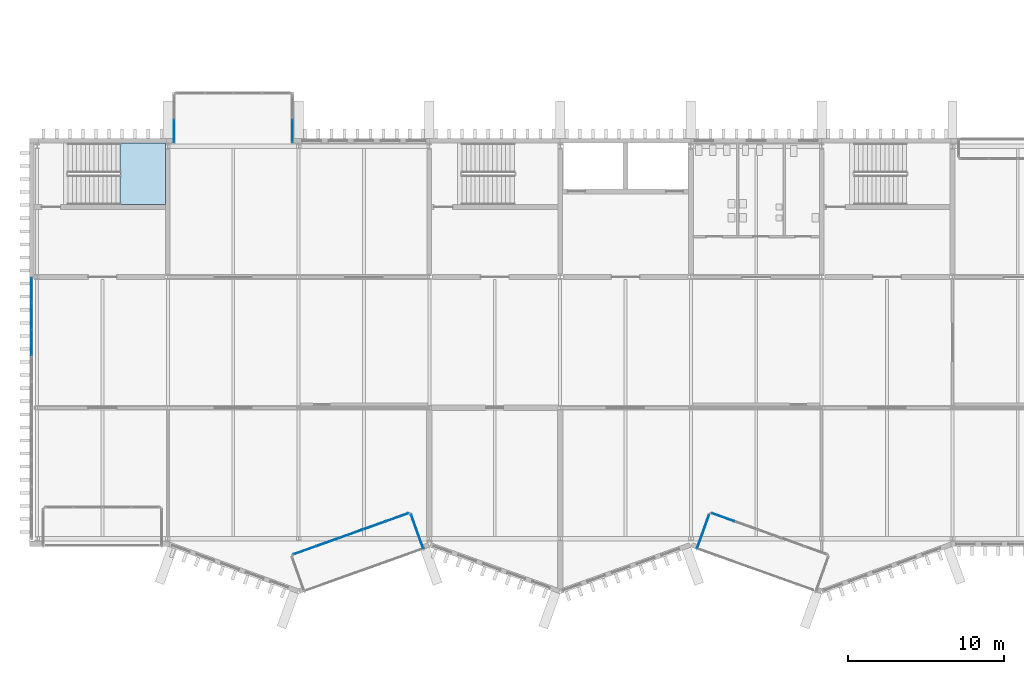
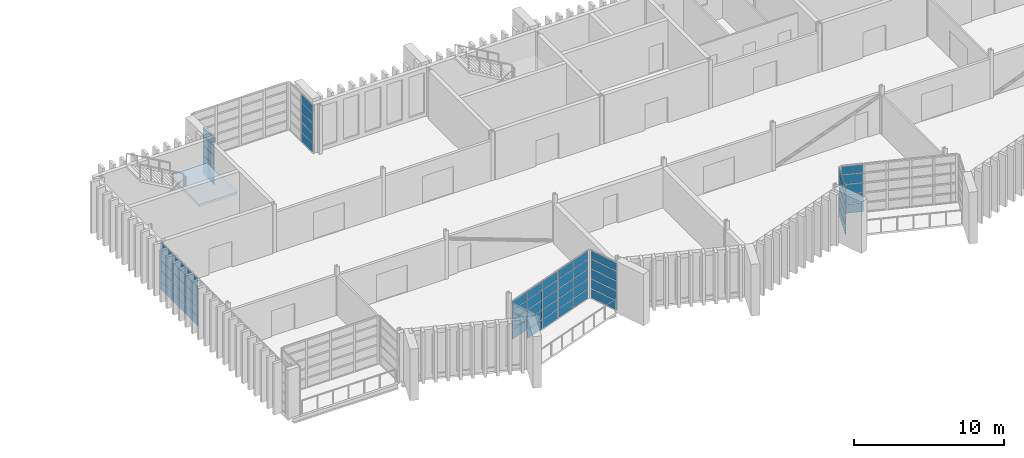
# One storey, part 42 of 88: 64 plates, 1 slab, 8 elements without a shape of their own.
"""IFC4 building model written with IfcOpenShell, lengths in metres."""

from ifc_helpers import new_model, si_unit, direction, frame, origin, origin_2d, place, context, subcontext, project, spatial, polyline, rectangle, outline, extrude, material, layer, layer_set, type_object, element, aggregate, save


model = new_model("IFC4")

# Units and contexts
model_context = context("Model", 3, precision=1e-05, world=origin(), true_north=direction((0.0, 1.0)))
body_context = subcontext(model_context, "Body", "Model", "MODEL_VIEW")
ifc_project = project(units=[si_unit("LENGTHUNIT", "METRE"), si_unit("AREAUNIT", "SQUARE_METRE"), si_unit("VOLUMEUNIT", "CUBIC_METRE"), si_unit("PLANEANGLEUNIT", "RADIAN"), si_unit("MASSUNIT", "GRAM", prefix="KILO")], contexts=[model_context])

# Site, building, storey
site_placement = place(None, origin())
site = spatial("IfcSite", under=ifc_project, at=site_placement, CompositionType="ELEMENT")
building_placement = place(site_placement, origin())
building = spatial("IfcBuilding", under=site, at=building_placement, Name="Cresset Court Congress Hotel", CompositionType="ELEMENT")
storey_placement = place(building_placement, frame((0.0, 0.0, 14.39990234375)))
storey = spatial("IfcBuildingStorey", under=building, at=storey_placement, Name="L03", CompositionType="ELEMENT", Elevation=14.39990234375)

# Curtain wall, plates
ifc_material_1 = material(Name="Aluminium frame with double glazing", Category="aluminium")
ifc_layer_1 = layer(ifc_material_1, 0.199951171875)
ifc_layer_set_1 = layer_set([ifc_layer_1], Name="Glazed box curtain wall 1680 module")
curtain_wall_type = type_object("IfcCurtainWallType", Name="Glazed box curtain wall 1680 module", PredefinedType="NOTDEFINED", material=ifc_layer_set_1)
curtain_wall_1_placement = place(storey_placement, origin())
curtain_wall_1 = element("IfcCurtainWall", 1, at=curtain_wall_1_placement, inside=storey, type_object=curtain_wall_type, Name="Glazed box S0305 front", PredefinedType="NOTDEFINED")
ifc_material_2 = material(Name="Toughened double glazing", Category="glass")
ifc_layer_2 = layer(ifc_material_2, 0.028076171875)
ifc_layer_set_2 = layer_set([ifc_layer_2], Name="Box glass panel 28")
plate_type_1 = type_object("IfcPlateType", Name="Box glass panel 28", PredefinedType="CURTAIN_PANEL", material=ifc_layer_set_2)
plate_1_placement = place(storey_placement, frame((25.590087890625, -0.756103515625, 0.8349609375), z_axis=(0.0, 0.0, 1.0), x_axis=(0.941741911601, 0.336336396981, 0.0)))
plate_1 = element("IfcPlate", 2, at=plate_1_placement, type_object=plate_type_1, Name="B-X1 panel 1.2", PredefinedType="CURTAIN_PANEL", context=body_context, shape_type="SweptSolid", body=[
    extrude(rectangle(XDim=1.493896484375, YDim=0.028076171875, at=origin_2d()), origin(), (0.0, 0.0, 1.0), 0.7451171875),
])
plate_2_placement = place(storey_placement, frame((25.590087890625, -0.756103515625, 1.64013671875), z_axis=(0.0, 0.0, 1.0), x_axis=(0.941741911601, 0.336336396981, 0.0)))
plate_2 = element("IfcPlate", 3, at=plate_2_placement, type_object=plate_type_1, Name="B-X1 panel 1.3", PredefinedType="CURTAIN_PANEL", context=body_context, shape_type="SweptSolid", body=[
    extrude(rectangle(XDim=1.493896484375, YDim=0.028076171875, at=origin_2d()), origin(), (0.0, 0.0, 1.0), 0.7451171875),
])
plate_3_placement = place(storey_placement, frame((25.590087890625, -0.756103515625, 2.445068359375), z_axis=(0.0, 0.0, 1.0), x_axis=(0.941741911601, 0.336336396981, 0.0)))
plate_3 = element("IfcPlate", 4, at=plate_3_placement, type_object=plate_type_1, Name="B-X1 panel 1.4", PredefinedType="CURTAIN_PANEL", context=body_context, shape_type="SweptSolid", body=[
    extrude(rectangle(XDim=1.493896484375, YDim=0.028076171875, at=origin_2d()), origin(), (0.0, 0.0, 1.0), 0.7451171875),
])
plate_4_placement = place(storey_placement, frame((27.067626953125, -0.228271484375, 0.06005859375), z_axis=(0.0, 0.0, 1.0), x_axis=(0.941741911601, 0.336336396981, 0.0)))
plate_4 = element("IfcPlate", 5, at=plate_4_placement, type_object=plate_type_1, Name="B-X1 panel 2.1", PredefinedType="CURTAIN_PANEL", context=body_context, shape_type="SweptSolid", body=[
    extrude(rectangle(XDim=1.52392578125, YDim=0.028076171875, at=origin_2d()), origin(), (0.0, 0.0, 1.0), 0.715087890625),
])
plate_5_placement = place(storey_placement, frame((27.067626953125, -0.228271484375, 0.8349609375), z_axis=(0.0, 0.0, 1.0), x_axis=(0.941741911601, 0.336336396981, 0.0)))
plate_5 = element("IfcPlate", 6, at=plate_5_placement, type_object=plate_type_1, Name="B-X1 panel 2.2", PredefinedType="CURTAIN_PANEL", context=body_context, shape_type="SweptSolid", body=[
    extrude(rectangle(XDim=1.52392578125, YDim=0.028076171875, at=origin_2d()), origin(), (0.0, 0.0, 1.0), 0.7451171875),
])
plate_6_placement = place(storey_placement, frame((27.067626953125, -0.228271484375, 1.64013671875), z_axis=(0.0, 0.0, 1.0), x_axis=(0.941741911601, 0.336336396981, 0.0)))
plate_6 = element("IfcPlate", 7, at=plate_6_placement, type_object=plate_type_1, Name="B-X1 panel 2.3", PredefinedType="CURTAIN_PANEL", context=body_context, shape_type="SweptSolid", body=[
    extrude(rectangle(XDim=1.52392578125, YDim=0.028076171875, at=origin_2d()), origin(), (0.0, 0.0, 1.0), 0.7451171875),
])
plate_7_placement = place(storey_placement, frame((27.067626953125, -0.228271484375, 2.445068359375), z_axis=(0.0, 0.0, 1.0), x_axis=(0.941741911601, 0.336336396981, 0.0)))
plate_7 = element("IfcPlate", 8, at=plate_7_placement, type_object=plate_type_1, Name="B-X1 panel 2.4", PredefinedType="CURTAIN_PANEL", context=body_context, shape_type="SweptSolid", body=[
    extrude(rectangle(XDim=1.52392578125, YDim=0.028076171875, at=origin_2d()), origin(), (0.0, 0.0, 1.0), 0.7451171875),
])
plate_8_placement = place(storey_placement, frame((28.55908203125, 0.304443359375, 0.06005859375), z_axis=(0.0, 0.0, 1.0), x_axis=(0.941741911601, 0.336336396981, 0.0)))
plate_8 = element("IfcPlate", 9, at=plate_8_placement, type_object=plate_type_1, Name="B-X1 panel 3.1", PredefinedType="CURTAIN_PANEL", context=body_context, shape_type="SweptSolid", body=[
    extrude(rectangle(XDim=1.52392578125, YDim=0.028076171875, at=origin_2d()), origin(), (0.0, 0.0, 1.0), 0.715087890625),
])
plate_9_placement = place(storey_placement, frame((28.55908203125, 0.304443359375, 0.8349609375), z_axis=(0.0, 0.0, 1.0), x_axis=(0.941741911601, 0.336336396981, 0.0)))
plate_9 = element("IfcPlate", 10, at=plate_9_placement, type_object=plate_type_1, Name="B-X1 panel 3.2", PredefinedType="CURTAIN_PANEL", context=body_context, shape_type="SweptSolid", body=[
    extrude(rectangle(XDim=1.52392578125, YDim=0.028076171875, at=origin_2d()), origin(), (0.0, 0.0, 1.0), 0.7451171875),
])
plate_10_placement = place(storey_placement, frame((28.55908203125, 0.304443359375, 1.64013671875), z_axis=(0.0, 0.0, 1.0), x_axis=(0.941741911601, 0.336336396981, 0.0)))
plate_10 = element("IfcPlate", 11, at=plate_10_placement, type_object=plate_type_1, Name="B-X1 panel 3.3", PredefinedType="CURTAIN_PANEL", context=body_context, shape_type="SweptSolid", body=[
    extrude(rectangle(XDim=1.52392578125, YDim=0.028076171875, at=origin_2d()), origin(), (0.0, 0.0, 1.0), 0.7451171875),
])
plate_11_placement = place(storey_placement, frame((28.55908203125, 0.304443359375, 2.445068359375), z_axis=(0.0, 0.0, 1.0), x_axis=(0.941741911601, 0.336336396981, 0.0)))
plate_11 = element("IfcPlate", 12, at=plate_11_placement, type_object=plate_type_1, Name="B-X1 panel 3.4", PredefinedType="CURTAIN_PANEL", context=body_context, shape_type="SweptSolid", body=[
    extrude(rectangle(XDim=1.52392578125, YDim=0.028076171875, at=origin_2d()), origin(), (0.0, 0.0, 1.0), 0.7451171875),
])
plate_12_placement = place(storey_placement, frame((30.05078125, 0.837158203125, 0.06005859375), z_axis=(0.0, 0.0, 1.0), x_axis=(0.941741911601, 0.336336396981, 0.0)))
plate_12 = element("IfcPlate", 13, at=plate_12_placement, type_object=plate_type_1, Name="B-X1 panel 4.1", PredefinedType="CURTAIN_PANEL", context=body_context, shape_type="SweptSolid", body=[
    extrude(rectangle(XDim=1.52392578125, YDim=0.028076171875, at=origin_2d()), origin(), (0.0, 0.0, 1.0), 0.715087890625),
])
plate_13_placement = place(storey_placement, frame((30.05078125, 0.837158203125, 0.8349609375), z_axis=(0.0, 0.0, 1.0), x_axis=(0.941741911601, 0.336336396981, 0.0)))
plate_13 = element("IfcPlate", 14, at=plate_13_placement, type_object=plate_type_1, Name="B-X1 panel 4.2", PredefinedType="CURTAIN_PANEL", context=body_context, shape_type="SweptSolid", body=[
    extrude(rectangle(XDim=1.52392578125, YDim=0.028076171875, at=origin_2d()), origin(), (0.0, 0.0, 1.0), 0.7451171875),
])
plate_14_placement = place(storey_placement, frame((30.05078125, 0.837158203125, 1.64013671875), z_axis=(0.0, 0.0, 1.0), x_axis=(0.941741911601, 0.336336396981, 0.0)))
plate_14 = element("IfcPlate", 15, at=plate_14_placement, type_object=plate_type_1, Name="B-X1 panel 4.3", PredefinedType="CURTAIN_PANEL", context=body_context, shape_type="SweptSolid", body=[
    extrude(rectangle(XDim=1.52392578125, YDim=0.028076171875, at=origin_2d()), origin(), (0.0, 0.0, 1.0), 0.7451171875),
])
plate_15_placement = place(storey_placement, frame((30.05078125, 0.837158203125, 2.445068359375), z_axis=(0.0, 0.0, 1.0), x_axis=(0.941741911601, 0.336336396981, 0.0)))
plate_15 = element("IfcPlate", 16, at=plate_15_placement, type_object=plate_type_1, Name="B-X1 panel 4.4", PredefinedType="CURTAIN_PANEL", context=body_context, shape_type="SweptSolid", body=[
    extrude(rectangle(XDim=1.52392578125, YDim=0.028076171875, at=origin_2d()), origin(), (0.0, 0.0, 1.0), 0.7451171875),
])
plate_16_placement = place(storey_placement, frame((31.5283203125, 1.36474609375, 0.06005859375), z_axis=(0.0, 0.0, 1.0), x_axis=(0.941741911601, 0.336336396981, 0.0)))
plate_16 = element("IfcPlate", 17, at=plate_16_placement, type_object=plate_type_1, Name="B-X1 panel 5.1", PredefinedType="CURTAIN_PANEL", context=body_context, shape_type="SweptSolid", body=[
    extrude(rectangle(XDim=1.493896484375, YDim=0.028076171875, at=origin_2d()), origin(), (0.0, 0.0, 1.0), 0.715087890625),
])
plate_17_placement = place(storey_placement, frame((31.5283203125, 1.36474609375, 0.8349609375), z_axis=(0.0, 0.0, 1.0), x_axis=(0.941741911601, 0.336336396981, 0.0)))
plate_17 = element("IfcPlate", 18, at=plate_17_placement, type_object=plate_type_1, Name="B-X1 panel 5.2", PredefinedType="CURTAIN_PANEL", context=body_context, shape_type="SweptSolid", body=[
    extrude(rectangle(XDim=1.493896484375, YDim=0.028076171875, at=origin_2d()), origin(), (0.0, 0.0, 1.0), 0.7451171875),
])
plate_18_placement = place(storey_placement, frame((31.5283203125, 1.36474609375, 1.64013671875), z_axis=(0.0, 0.0, 1.0), x_axis=(0.941741911601, 0.336336396981, 0.0)))
plate_18 = element("IfcPlate", 19, at=plate_18_placement, type_object=plate_type_1, Name="B-X1 panel 5.3", PredefinedType="CURTAIN_PANEL", context=body_context, shape_type="SweptSolid", body=[
    extrude(rectangle(XDim=1.493896484375, YDim=0.028076171875, at=origin_2d()), origin(), (0.0, 0.0, 1.0), 0.7451171875),
])
plate_19_placement = place(storey_placement, frame((31.5283203125, 1.36474609375, 2.445068359375), z_axis=(0.0, 0.0, 1.0), x_axis=(0.941741911601, 0.336336396981, 0.0)))
plate_19 = element("IfcPlate", 20, at=plate_19_placement, type_object=plate_type_1, Name="B-X1 panel 5.4", PredefinedType="CURTAIN_PANEL", context=body_context, shape_type="SweptSolid", body=[
    extrude(rectangle(XDim=1.493896484375, YDim=0.028076171875, at=origin_2d()), origin(), (0.0, 0.0, 1.0), 0.7451171875),
])

curtain_wall_2_placement = place(storey_placement, origin())
curtain_wall_2 = element("IfcCurtainWall", 21, at=curtain_wall_2_placement, inside=storey, type_object=curtain_wall_type, Name="Glazed box S0305 side", PredefinedType="NOTDEFINED")
plate_20_placement = place(storey_placement, frame((32.819580078125, 0.445556640625, 0.06005859375), z_axis=(0.0, 0.0, 1.0), x_axis=(-0.336336396685, 0.941741911707, 0.0)))
plate_20 = element("IfcPlate", 22, at=plate_20_placement, type_object=plate_type_1, Name="B-X1 panel 1.1", PredefinedType="CURTAIN_PANEL", context=body_context, shape_type="SweptSolid", body=[
    extrude(rectangle(XDim=2.280029296875, YDim=0.028076171875, at=origin_2d()), origin(), (0.0, 0.0, 1.0), 0.715087890625),
])
plate_21_placement = place(storey_placement, frame((32.819580078125, 0.445556640625, 0.8349609375), z_axis=(0.0, 0.0, 1.0), x_axis=(-0.336336396685, 0.941741911707, 0.0)))
plate_21 = element("IfcPlate", 23, at=plate_21_placement, type_object=plate_type_1, Name="B-X1 panel 1.2", PredefinedType="CURTAIN_PANEL", context=body_context, shape_type="SweptSolid", body=[
    extrude(rectangle(XDim=2.280029296875, YDim=0.028076171875, at=origin_2d()), origin(), (0.0, 0.0, 1.0), 0.7451171875),
])
plate_22_placement = place(storey_placement, frame((32.819580078125, 0.445556640625, 1.64013671875), z_axis=(0.0, 0.0, 1.0), x_axis=(-0.336336396685, 0.941741911707, 0.0)))
plate_22 = element("IfcPlate", 24, at=plate_22_placement, type_object=plate_type_1, Name="B-X1 panel 1.3", PredefinedType="CURTAIN_PANEL", context=body_context, shape_type="SweptSolid", body=[
    extrude(rectangle(XDim=2.280029296875, YDim=0.028076171875, at=origin_2d()), origin(), (0.0, 0.0, 1.0), 0.7451171875),
])
plate_23_placement = place(storey_placement, frame((32.819580078125, 0.445556640625, 2.445068359375), z_axis=(0.0, 0.0, 1.0), x_axis=(-0.336336396685, 0.941741911707, 0.0)))
plate_23 = element("IfcPlate", 25, at=plate_23_placement, type_object=plate_type_1, Name="B-X1 panel 1.4", PredefinedType="CURTAIN_PANEL", context=body_context, shape_type="SweptSolid", body=[
    extrude(rectangle(XDim=2.280029296875, YDim=0.028076171875, at=origin_2d()), origin(), (0.0, 0.0, 1.0), 0.7451171875),
])

curtain_wall_3_placement = place(storey_placement, origin())
curtain_wall_3 = element("IfcCurtainWall", 26, at=curtain_wall_3_placement, inside=storey, type_object=curtain_wall_type, Name="Glazed box S0308 front", PredefinedType="NOTDEFINED")
plate_24_placement = place(storey_placement, frame((52.4716796875, 1.36474609375, 0.06005859375), z_axis=(0.0, 0.0, 1.0), x_axis=(0.941741911601, -0.336336396981, 0.0)))
plate_24 = element("IfcPlate", 27, at=plate_24_placement, type_object=plate_type_1, Name="B-X1 panel 1.1", PredefinedType="CURTAIN_PANEL", context=body_context, shape_type="SweptSolid", body=[
    extrude(rectangle(XDim=1.493896484375, YDim=0.028076171875, at=origin_2d()), origin(), (0.0, 0.0, 1.0), 0.715087890625),
])
plate_25_placement = place(storey_placement, frame((52.4716796875, 1.36474609375, 0.8349609375), z_axis=(0.0, 0.0, 1.0), x_axis=(0.941741911601, -0.336336396981, 0.0)))
plate_25 = element("IfcPlate", 28, at=plate_25_placement, type_object=plate_type_1, Name="B-X1 panel 1.2", PredefinedType="CURTAIN_PANEL", context=body_context, shape_type="SweptSolid", body=[
    extrude(rectangle(XDim=1.493896484375, YDim=0.028076171875, at=origin_2d()), origin(), (0.0, 0.0, 1.0), 0.7451171875),
])
plate_26_placement = place(storey_placement, frame((52.4716796875, 1.36474609375, 1.64013671875), z_axis=(0.0, 0.0, 1.0), x_axis=(0.941741911601, -0.336336396981, 0.0)))
plate_26 = element("IfcPlate", 29, at=plate_26_placement, type_object=plate_type_1, Name="B-X1 panel 1.3", PredefinedType="CURTAIN_PANEL", context=body_context, shape_type="SweptSolid", body=[
    extrude(rectangle(XDim=1.493896484375, YDim=0.028076171875, at=origin_2d()), origin(), (0.0, 0.0, 1.0), 0.7451171875),
])
plate_27_placement = place(storey_placement, frame((52.4716796875, 1.36474609375, 2.445068359375), z_axis=(0.0, 0.0, 1.0), x_axis=(0.941741911601, -0.336336396981, 0.0)))
plate_27 = element("IfcPlate", 30, at=plate_27_placement, type_object=plate_type_1, Name="B-X1 panel 1.4", PredefinedType="CURTAIN_PANEL", context=body_context, shape_type="SweptSolid", body=[
    extrude(rectangle(XDim=1.493896484375, YDim=0.028076171875, at=origin_2d()), origin(), (0.0, 0.0, 1.0), 0.7451171875),
])

curtain_wall_4_placement = place(storey_placement, origin())
curtain_wall_4 = element("IfcCurtainWall", 31, at=curtain_wall_4_placement, inside=storey, type_object=curtain_wall_type, Name="Glazed box S0308 side", PredefinedType="NOTDEFINED")
plate_28_placement = place(storey_placement, frame((51.180419921875, 0.445556640625, 0.06005859375), z_axis=(0.0, 0.0, 1.0), x_axis=(0.336336396685, 0.941741911707, 0.0)))
plate_28 = element("IfcPlate", 32, at=plate_28_placement, type_object=plate_type_1, Name="B-X1 panel 1.1", PredefinedType="CURTAIN_PANEL", context=body_context, shape_type="SweptSolid", body=[
    extrude(rectangle(XDim=2.280029296875, YDim=0.028076171875, at=origin_2d()), origin(), (0.0, 0.0, 1.0), 0.715087890625),
])
plate_29_placement = place(storey_placement, frame((51.180419921875, 0.445556640625, 0.8349609375), z_axis=(0.0, 0.0, 1.0), x_axis=(0.336336396685, 0.941741911707, 0.0)))
plate_29 = element("IfcPlate", 33, at=plate_29_placement, type_object=plate_type_1, Name="B-X1 panel 1.2", PredefinedType="CURTAIN_PANEL", context=body_context, shape_type="SweptSolid", body=[
    extrude(rectangle(XDim=2.280029296875, YDim=0.028076171875, at=origin_2d()), origin(), (0.0, 0.0, 1.0), 0.7451171875),
])
plate_30_placement = place(storey_placement, frame((51.180419921875, 0.445556640625, 1.64013671875), z_axis=(0.0, 0.0, 1.0), x_axis=(0.336336396685, 0.941741911707, 0.0)))
plate_30 = element("IfcPlate", 34, at=plate_30_placement, type_object=plate_type_1, Name="B-X1 panel 1.3", PredefinedType="CURTAIN_PANEL", context=body_context, shape_type="SweptSolid", body=[
    extrude(rectangle(XDim=2.280029296875, YDim=0.028076171875, at=origin_2d()), origin(), (0.0, 0.0, 1.0), 0.7451171875),
])
plate_31_placement = place(storey_placement, frame((51.180419921875, 0.445556640625, 2.445068359375), z_axis=(0.0, 0.0, 1.0), x_axis=(0.336336396685, 0.941741911707, 0.0)))
plate_31 = element("IfcPlate", 35, at=plate_31_placement, type_object=plate_type_1, Name="B-X1 panel 1.4", PredefinedType="CURTAIN_PANEL", context=body_context, shape_type="SweptSolid", body=[
    extrude(rectangle(XDim=2.280029296875, YDim=0.028076171875, at=origin_2d()), origin(), (0.0, 0.0, 1.0), 0.7451171875),
])

curtain_wall_5_placement = place(storey_placement, origin())
curtain_wall_5 = element("IfcCurtainWall", 36, at=curtain_wall_5_placement, inside=storey, type_object=curtain_wall_type, Name="Glazed box N0325 side", PredefinedType="NOTDEFINED")
plate_32_placement = place(storey_placement, frame((17.199951171875, 26.18994140625, 0.06005859375), z_axis=(0.0, 0.0, 1.0), x_axis=(0.0, 1.0, 0.0)))
plate_32 = element("IfcPlate", 37, at=plate_32_placement, type_object=plate_type_1, Name="B-X1 panel 1.1", PredefinedType="CURTAIN_PANEL", context=body_context, shape_type="SweptSolid", body=[
    extrude(rectangle(XDim=1.4599609375, YDim=0.028076171875, at=origin_2d()), origin(), (0.0, 0.0, 1.0), 0.715087890625),
])
plate_33_placement = place(storey_placement, frame((17.199951171875, 26.18994140625, 0.8349609375), z_axis=(0.0, 0.0, 1.0), x_axis=(0.0, 1.0, 0.0)))
plate_33 = element("IfcPlate", 38, at=plate_33_placement, type_object=plate_type_1, Name="B-X1 panel 1.2", PredefinedType="CURTAIN_PANEL", context=body_context, shape_type="SweptSolid", body=[
    extrude(rectangle(XDim=1.4599609375, YDim=0.028076171875, at=origin_2d()), origin(), (0.0, 0.0, 1.0), 0.7451171875),
])
plate_34_placement = place(storey_placement, frame((17.199951171875, 26.18994140625, 1.64013671875), z_axis=(0.0, 0.0, 1.0), x_axis=(0.0, 1.0, 0.0)))
plate_34 = element("IfcPlate", 39, at=plate_34_placement, type_object=plate_type_1, Name="B-X1 panel 1.3", PredefinedType="CURTAIN_PANEL", context=body_context, shape_type="SweptSolid", body=[
    extrude(rectangle(XDim=1.4599609375, YDim=0.028076171875, at=origin_2d()), origin(), (0.0, 0.0, 1.0), 0.7451171875),
])
plate_35_placement = place(storey_placement, frame((17.199951171875, 26.18994140625, 2.445068359375), z_axis=(0.0, 0.0, 1.0), x_axis=(0.0, 1.0, 0.0)))
plate_35 = element("IfcPlate", 40, at=plate_35_placement, type_object=plate_type_1, Name="B-X1 panel 1.4", PredefinedType="CURTAIN_PANEL", context=body_context, shape_type="SweptSolid", body=[
    extrude(rectangle(XDim=1.4599609375, YDim=0.028076171875, at=origin_2d()), origin(), (0.0, 0.0, 1.0), 0.7451171875),
])

curtain_wall_6_placement = place(storey_placement, origin())
curtain_wall_6 = element("IfcCurtainWall", 41, at=curtain_wall_6_placement, inside=storey, type_object=curtain_wall_type, Name="Glazed box N0325 side", PredefinedType="NOTDEFINED")
plate_36_placement = place(storey_placement, frame((24.800048828125, 26.18994140625, 0.06005859375), z_axis=(0.0, 0.0, 1.0), x_axis=(0.0, 1.0, 0.0)))
plate_36 = element("IfcPlate", 42, at=plate_36_placement, type_object=plate_type_1, Name="B-X1 panel 1.1", PredefinedType="CURTAIN_PANEL", context=body_context, shape_type="SweptSolid", body=[
    extrude(rectangle(XDim=1.4599609375, YDim=0.028076171875, at=origin_2d()), origin(), (0.0, 0.0, 1.0), 0.715087890625),
])
plate_37_placement = place(storey_placement, frame((24.800048828125, 26.18994140625, 0.8349609375), z_axis=(0.0, 0.0, 1.0), x_axis=(0.0, 1.0, 0.0)))
plate_37 = element("IfcPlate", 43, at=plate_37_placement, type_object=plate_type_1, Name="B-X1 panel 1.2", PredefinedType="CURTAIN_PANEL", context=body_context, shape_type="SweptSolid", body=[
    extrude(rectangle(XDim=1.4599609375, YDim=0.028076171875, at=origin_2d()), origin(), (0.0, 0.0, 1.0), 0.7451171875),
])
plate_38_placement = place(storey_placement, frame((24.800048828125, 26.18994140625, 1.64013671875), z_axis=(0.0, 0.0, 1.0), x_axis=(0.0, 1.0, 0.0)))
plate_38 = element("IfcPlate", 44, at=plate_38_placement, type_object=plate_type_1, Name="B-X1 panel 1.3", PredefinedType="CURTAIN_PANEL", context=body_context, shape_type="SweptSolid", body=[
    extrude(rectangle(XDim=1.4599609375, YDim=0.028076171875, at=origin_2d()), origin(), (0.0, 0.0, 1.0), 0.7451171875),
])
plate_39_placement = place(storey_placement, frame((24.800048828125, 26.18994140625, 2.445068359375), z_axis=(0.0, 0.0, 1.0), x_axis=(0.0, 1.0, 0.0)))
plate_39 = element("IfcPlate", 45, at=plate_39_placement, type_object=plate_type_1, Name="B-X1 panel 1.4", PredefinedType="CURTAIN_PANEL", context=body_context, shape_type="SweptSolid", body=[
    extrude(rectangle(XDim=1.4599609375, YDim=0.028076171875, at=origin_2d()), origin(), (0.0, 0.0, 1.0), 0.7451171875),
])

curtain_wall_7_placement = place(storey_placement, origin())
curtain_wall_7 = element("IfcCurtainWall", 46, at=curtain_wall_7_placement, inside=storey, type_object=curtain_wall_type, Name="Foyer glazed front L03", PredefinedType="NOTDEFINED")
plate_40_placement = place(storey_placement, frame((8.050048828125, 12.60009765625, 0.06005859375), z_axis=(0.0, 0.0, 1.0), x_axis=(0.0, 1.0, 0.0)))
plate_40 = element("IfcPlate", 47, at=plate_40_placement, type_object=plate_type_1, Name="B-X1 panel 8.1", PredefinedType="CURTAIN_PANEL", context=body_context, shape_type="SweptSolid", body=[
    extrude(rectangle(XDim=1.6201171875, YDim=0.028076171875, at=origin_2d()), origin(), (0.0, 0.0, 1.0), 0.715087890625),
])
plate_41_placement = place(storey_placement, frame((8.050048828125, 12.60009765625, 0.8349609375), z_axis=(0.0, 0.0, 1.0), x_axis=(0.0, 1.0, 0.0)))
plate_41 = element("IfcPlate", 48, at=plate_41_placement, type_object=plate_type_1, Name="B-X1 panel 8.2", PredefinedType="CURTAIN_PANEL", context=body_context, shape_type="SweptSolid", body=[
    extrude(rectangle(XDim=1.6201171875, YDim=0.028076171875, at=origin_2d()), origin(), (0.0, 0.0, 1.0), 0.7451171875),
])
plate_42_placement = place(storey_placement, frame((8.050048828125, 12.60009765625, 1.64013671875), z_axis=(0.0, 0.0, 1.0), x_axis=(0.0, 1.0, 0.0)))
plate_42 = element("IfcPlate", 49, at=plate_42_placement, type_object=plate_type_1, Name="B-X1 panel 8.3", PredefinedType="CURTAIN_PANEL", context=body_context, shape_type="SweptSolid", body=[
    extrude(rectangle(XDim=1.6201171875, YDim=0.028076171875, at=origin_2d()), origin(), (0.0, 0.0, 1.0), 0.7451171875),
])
plate_43_placement = place(storey_placement, frame((8.050048828125, 12.60009765625, 2.445068359375), z_axis=(0.0, 0.0, 1.0), x_axis=(0.0, 1.0, 0.0)))
plate_43 = element("IfcPlate", 50, at=plate_43_placement, type_object=plate_type_1, Name="B-X1 panel 8.4", PredefinedType="CURTAIN_PANEL", context=body_context, shape_type="SweptSolid", body=[
    extrude(rectangle(XDim=1.6201171875, YDim=0.028076171875, at=origin_2d()), origin(), (0.0, 0.0, 1.0), 0.7451171875),
])
plate_44_placement = place(storey_placement, frame((8.050048828125, 14.280029296875, 0.06005859375), z_axis=(0.0, 0.0, 1.0), x_axis=(0.0, 1.0, 0.0)))
plate_44 = element("IfcPlate", 51, at=plate_44_placement, type_object=plate_type_1, Name="B-X1 panel 9.1", PredefinedType="CURTAIN_PANEL", context=body_context, shape_type="SweptSolid", body=[
    extrude(rectangle(XDim=1.6201171875, YDim=0.028076171875, at=origin_2d()), origin(), (0.0, 0.0, 1.0), 0.715087890625),
])
plate_45_placement = place(storey_placement, frame((8.050048828125, 14.280029296875, 0.8349609375), z_axis=(0.0, 0.0, 1.0), x_axis=(0.0, 1.0, 0.0)))
plate_45 = element("IfcPlate", 52, at=plate_45_placement, type_object=plate_type_1, Name="B-X1 panel 9.2", PredefinedType="CURTAIN_PANEL", context=body_context, shape_type="SweptSolid", body=[
    extrude(rectangle(XDim=1.6201171875, YDim=0.028076171875, at=origin_2d()), origin(), (0.0, 0.0, 1.0), 0.7451171875),
])
plate_46_placement = place(storey_placement, frame((8.050048828125, 14.280029296875, 1.64013671875), z_axis=(0.0, 0.0, 1.0), x_axis=(0.0, 1.0, 0.0)))
plate_46 = element("IfcPlate", 53, at=plate_46_placement, type_object=plate_type_1, Name="B-X1 panel 9.3", PredefinedType="CURTAIN_PANEL", context=body_context, shape_type="SweptSolid", body=[
    extrude(rectangle(XDim=1.6201171875, YDim=0.028076171875, at=origin_2d()), origin(), (0.0, 0.0, 1.0), 0.7451171875),
])
plate_47_placement = place(storey_placement, frame((8.050048828125, 14.280029296875, 2.445068359375), z_axis=(0.0, 0.0, 1.0), x_axis=(0.0, 1.0, 0.0)))
plate_47 = element("IfcPlate", 54, at=plate_47_placement, type_object=plate_type_1, Name="B-X1 panel 9.4", PredefinedType="CURTAIN_PANEL", context=body_context, shape_type="SweptSolid", body=[
    extrude(rectangle(XDim=1.6201171875, YDim=0.028076171875, at=origin_2d()), origin(), (0.0, 0.0, 1.0), 0.7451171875),
])
plate_48_placement = place(storey_placement, frame((8.050048828125, 15.945068359375, 0.06005859375), z_axis=(0.0, 0.0, 1.0), x_axis=(0.0, 1.0, 0.0)))
plate_48 = element("IfcPlate", 55, at=plate_48_placement, type_object=plate_type_1, Name="B-X1 panel 10.1", PredefinedType="CURTAIN_PANEL", context=body_context, shape_type="SweptSolid", body=[
    extrude(rectangle(XDim=1.590087890625, YDim=0.028076171875, at=origin_2d()), origin(), (0.0, 0.0, 1.0), 0.715087890625),
])
plate_49_placement = place(storey_placement, frame((8.050048828125, 15.945068359375, 0.8349609375), z_axis=(0.0, 0.0, 1.0), x_axis=(0.0, 1.0, 0.0)))
plate_49 = element("IfcPlate", 56, at=plate_49_placement, type_object=plate_type_1, Name="B-X1 panel 10.2", PredefinedType="CURTAIN_PANEL", context=body_context, shape_type="SweptSolid", body=[
    extrude(rectangle(XDim=1.590087890625, YDim=0.028076171875, at=origin_2d()), origin(), (0.0, 0.0, 1.0), 0.7451171875),
])
plate_50_placement = place(storey_placement, frame((8.050048828125, 15.945068359375, 1.64013671875), z_axis=(0.0, 0.0, 1.0), x_axis=(0.0, 1.0, 0.0)))
plate_50 = element("IfcPlate", 57, at=plate_50_placement, type_object=plate_type_1, Name="B-X1 panel 10.3", PredefinedType="CURTAIN_PANEL", context=body_context, shape_type="SweptSolid", body=[
    extrude(rectangle(XDim=1.590087890625, YDim=0.028076171875, at=origin_2d()), origin(), (0.0, 0.0, 1.0), 0.7451171875),
])
plate_51_placement = place(storey_placement, frame((8.050048828125, 15.945068359375, 2.445068359375), z_axis=(0.0, 0.0, 1.0), x_axis=(0.0, 1.0, 0.0)))
plate_51 = element("IfcPlate", 58, at=plate_51_placement, type_object=plate_type_1, Name="B-X1 panel 10.4", PredefinedType="CURTAIN_PANEL", context=body_context, shape_type="SweptSolid", body=[
    extrude(rectangle(XDim=1.590087890625, YDim=0.028076171875, at=origin_2d()), origin(), (0.0, 0.0, 1.0), 0.7451171875),
])

# Plate
ifc_material_3 = material(Name="Insulated aluminium spandrel panel", Category="aluminium")
ifc_layer_3 = layer(ifc_material_3, 0.0400390625)
ifc_layer_set_3 = layer_set([ifc_layer_3], Name="Box spandrel panel 40")
plate_type_2 = type_object("IfcPlateType", Name="Box spandrel panel 40", PredefinedType="CURTAIN_PANEL", material=ifc_layer_set_3)
plate_52_placement = place(storey_placement, frame((25.590087890625, -0.756103515625, 3.25), z_axis=(0.0, 0.0, 1.0), x_axis=(0.941741911601, 0.336336396981, 0.0)))
plate_52 = element("IfcPlate", 59, at=plate_52_placement, type_object=plate_type_2, Name="B-X1 spandrel panel 1.5", PredefinedType="CURTAIN_PANEL", context=body_context, shape_type="SweptSolid", body=[
    extrude(rectangle(XDim=1.493896484375, YDim=0.0400390625, at=origin_2d()), origin(), (0.0, 0.0, 1.0), 0.639892578125),
])

plate_53_placement = place(storey_placement, frame((27.067626953125, -0.228271484375, 3.25), z_axis=(0.0, 0.0, 1.0), x_axis=(0.941741911601, 0.336336396981, 0.0)))
plate_53 = element("IfcPlate", 60, at=plate_53_placement, type_object=plate_type_2, Name="B-X1 spandrel panel 2.5", PredefinedType="CURTAIN_PANEL", context=body_context, shape_type="SweptSolid", body=[
    extrude(rectangle(XDim=1.52392578125, YDim=0.0400390625, at=origin_2d()), origin(), (0.0, 0.0, 1.0), 0.639892578125),
])

plate_54_placement = place(storey_placement, frame((28.55908203125, 0.304443359375, 3.25), z_axis=(0.0, 0.0, 1.0), x_axis=(0.941741911601, 0.336336396981, 0.0)))
plate_54 = element("IfcPlate", 61, at=plate_54_placement, type_object=plate_type_2, Name="B-X1 spandrel panel 3.5", PredefinedType="CURTAIN_PANEL", context=body_context, shape_type="SweptSolid", body=[
    extrude(rectangle(XDim=1.52392578125, YDim=0.0400390625, at=origin_2d()), origin(), (0.0, 0.0, 1.0), 0.639892578125),
])

plate_55_placement = place(storey_placement, frame((30.05078125, 0.837158203125, 3.25), z_axis=(0.0, 0.0, 1.0), x_axis=(0.941741911601, 0.336336396981, 0.0)))
plate_55 = element("IfcPlate", 62, at=plate_55_placement, type_object=plate_type_2, Name="B-X1 spandrel panel 4.5", PredefinedType="CURTAIN_PANEL", context=body_context, shape_type="SweptSolid", body=[
    extrude(rectangle(XDim=1.52392578125, YDim=0.0400390625, at=origin_2d()), origin(), (0.0, 0.0, 1.0), 0.639892578125),
])

plate_56_placement = place(storey_placement, frame((31.5283203125, 1.36474609375, 3.25), z_axis=(0.0, 0.0, 1.0), x_axis=(0.941741911601, 0.336336396981, 0.0)))
plate_56 = element("IfcPlate", 63, at=plate_56_placement, type_object=plate_type_2, Name="B-X1 spandrel panel 5.5", PredefinedType="CURTAIN_PANEL", context=body_context, shape_type="SweptSolid", body=[
    extrude(rectangle(XDim=1.493896484375, YDim=0.0400390625, at=origin_2d()), origin(), (0.0, 0.0, 1.0), 0.639892578125),
])

aggregate(curtain_wall_1, [plate_1, plate_2, plate_3, plate_52, plate_4, plate_5, plate_6, plate_7, plate_53, plate_8, plate_9, plate_10, plate_11, plate_54, plate_12, plate_13, plate_14, plate_15, plate_55, plate_16, plate_17, plate_18, plate_19, plate_56])

plate_57_placement = place(storey_placement, frame((32.819580078125, 0.445556640625, 3.25), z_axis=(0.0, 0.0, 1.0), x_axis=(-0.336336396685, 0.941741911707, 0.0)))
plate_57 = element("IfcPlate", 64, at=plate_57_placement, type_object=plate_type_2, Name="B-X1 spandrel panel 1.5", PredefinedType="CURTAIN_PANEL", context=body_context, shape_type="SweptSolid", body=[
    extrude(rectangle(XDim=2.280029296875, YDim=0.0400390625, at=origin_2d()), origin(), (0.0, 0.0, 1.0), 0.639892578125),
])

aggregate(curtain_wall_2, [plate_20, plate_21, plate_22, plate_23, plate_57])

plate_58_placement = place(storey_placement, frame((52.4716796875, 1.36474609375, 3.25), z_axis=(0.0, 0.0, 1.0), x_axis=(0.941741911601, -0.336336396981, 0.0)))
plate_58 = element("IfcPlate", 65, at=plate_58_placement, type_object=plate_type_2, Name="B-X1 spandrel panel 1.5", PredefinedType="CURTAIN_PANEL", context=body_context, shape_type="SweptSolid", body=[
    extrude(rectangle(XDim=1.493896484375, YDim=0.0400390625, at=origin_2d()), origin(), (0.0, 0.0, 1.0), 0.639892578125),
])

aggregate(curtain_wall_3, [plate_24, plate_25, plate_26, plate_27, plate_58])

plate_59_placement = place(storey_placement, frame((51.180419921875, 0.445556640625, 3.25), z_axis=(0.0, 0.0, 1.0), x_axis=(0.336336396685, 0.941741911707, 0.0)))
plate_59 = element("IfcPlate", 66, at=plate_59_placement, type_object=plate_type_2, Name="B-X1 spandrel panel 1.5", PredefinedType="CURTAIN_PANEL", context=body_context, shape_type="SweptSolid", body=[
    extrude(rectangle(XDim=2.280029296875, YDim=0.0400390625, at=origin_2d()), origin(), (0.0, 0.0, 1.0), 0.639892578125),
])

aggregate(curtain_wall_4, [plate_28, plate_29, plate_30, plate_31, plate_59])

plate_60_placement = place(storey_placement, frame((17.199951171875, 26.18994140625, 3.25), z_axis=(0.0, 0.0, 1.0), x_axis=(0.0, 1.0, 0.0)))
plate_60 = element("IfcPlate", 67, at=plate_60_placement, type_object=plate_type_2, Name="B-X1 spandrel panel 1.5", PredefinedType="CURTAIN_PANEL", context=body_context, shape_type="SweptSolid", body=[
    extrude(rectangle(XDim=1.4599609375, YDim=0.0400390625, at=origin_2d()), origin(), (0.0, 0.0, 1.0), 0.639892578125),
])

aggregate(curtain_wall_5, [plate_32, plate_33, plate_34, plate_35, plate_60])

plate_61_placement = place(storey_placement, frame((24.800048828125, 26.18994140625, 3.25), z_axis=(0.0, 0.0, 1.0), x_axis=(0.0, 1.0, 0.0)))
plate_61 = element("IfcPlate", 68, at=plate_61_placement, type_object=plate_type_2, Name="B-X1 spandrel panel 1.5", PredefinedType="CURTAIN_PANEL", context=body_context, shape_type="SweptSolid", body=[
    extrude(rectangle(XDim=1.4599609375, YDim=0.0400390625, at=origin_2d()), origin(), (0.0, 0.0, 1.0), 0.639892578125),
])

aggregate(curtain_wall_6, [plate_36, plate_37, plate_38, plate_39, plate_61])

plate_62_placement = place(storey_placement, frame((8.050048828125, 12.60009765625, 3.25), z_axis=(0.0, 0.0, 1.0), x_axis=(0.0, 1.0, 0.0)))
plate_62 = element("IfcPlate", 69, at=plate_62_placement, type_object=plate_type_2, Name="B-X1 spandrel panel 8.5", PredefinedType="CURTAIN_PANEL", context=body_context, shape_type="SweptSolid", body=[
    extrude(rectangle(XDim=1.6201171875, YDim=0.0400390625, at=origin_2d()), origin(), (0.0, 0.0, 1.0), 0.639892578125),
])

plate_63_placement = place(storey_placement, frame((8.050048828125, 14.280029296875, 3.25), z_axis=(0.0, 0.0, 1.0), x_axis=(0.0, 1.0, 0.0)))
plate_63 = element("IfcPlate", 70, at=plate_63_placement, type_object=plate_type_2, Name="B-X1 spandrel panel 9.5", PredefinedType="CURTAIN_PANEL", context=body_context, shape_type="SweptSolid", body=[
    extrude(rectangle(XDim=1.6201171875, YDim=0.0400390625, at=origin_2d()), origin(), (0.0, 0.0, 1.0), 0.639892578125),
])

plate_64_placement = place(storey_placement, frame((8.050048828125, 15.945068359375, 3.25), z_axis=(0.0, 0.0, 1.0), x_axis=(0.0, 1.0, 0.0)))
plate_64 = element("IfcPlate", 71, at=plate_64_placement, type_object=plate_type_2, Name="B-X1 spandrel panel 10.5", PredefinedType="CURTAIN_PANEL", context=body_context, shape_type="SweptSolid", body=[
    extrude(rectangle(XDim=1.590087890625, YDim=0.0400390625, at=origin_2d()), origin(), (0.0, 0.0, 1.0), 0.639892578125),
])

aggregate(curtain_wall_7, [plate_40, plate_41, plate_42, plate_43, plate_62, plate_44, plate_45, plate_46, plate_47, plate_63, plate_48, plate_49, plate_50, plate_51, plate_64])

# Stair, slab
ifc_material_4 = material(Name="Concrete C40", Category="concrete")
stair_type = type_object("IfcStairType", Name="Dog-leg stair 1400 flights", PredefinedType="HALF_TURN_STAIR", material=ifc_material_4)
stair_placement = place(storey_placement, origin())
stair = element("IfcStair", 72, at=stair_placement, inside=storey, type_object=stair_type, Name="L03 Stair ST-B1", PredefinedType="HALF_TURN_STAIR")
ifc_material_5 = material(Name="Concrete C40", Category="concrete")
ifc_layer_4 = layer(ifc_material_5, 0.199951171875)
ifc_layer_set_4 = layer_set([ifc_layer_4], Name="Stair landing 200")
slab_type = type_object("IfcSlabType", Name="Stair landing 200", PredefinedType="LANDING", material=ifc_layer_set_4)
slab_placement = place(storey_placement, frame((0.0, 0.0, 1.900146484375)))
slab = element("IfcSlab", 73, at=slab_placement, type_object=slab_type, Name="ST-B1 landing 1", PredefinedType="LANDING", context=body_context, shape_type="SweptSolid", body=[
    extrude(outline(polyline([(13.739990234375, 21.449951171875), (16.64990234375, 21.449951171875), (16.64990234375, 25.39990234375), (13.739990234375, 25.39990234375), (13.739990234375, 21.449951171875)])), origin(), (0.0, 0.0, 1.0), 0.199951171875),
])
aggregate(stair, [slab])

save(model, "model.ifc")
